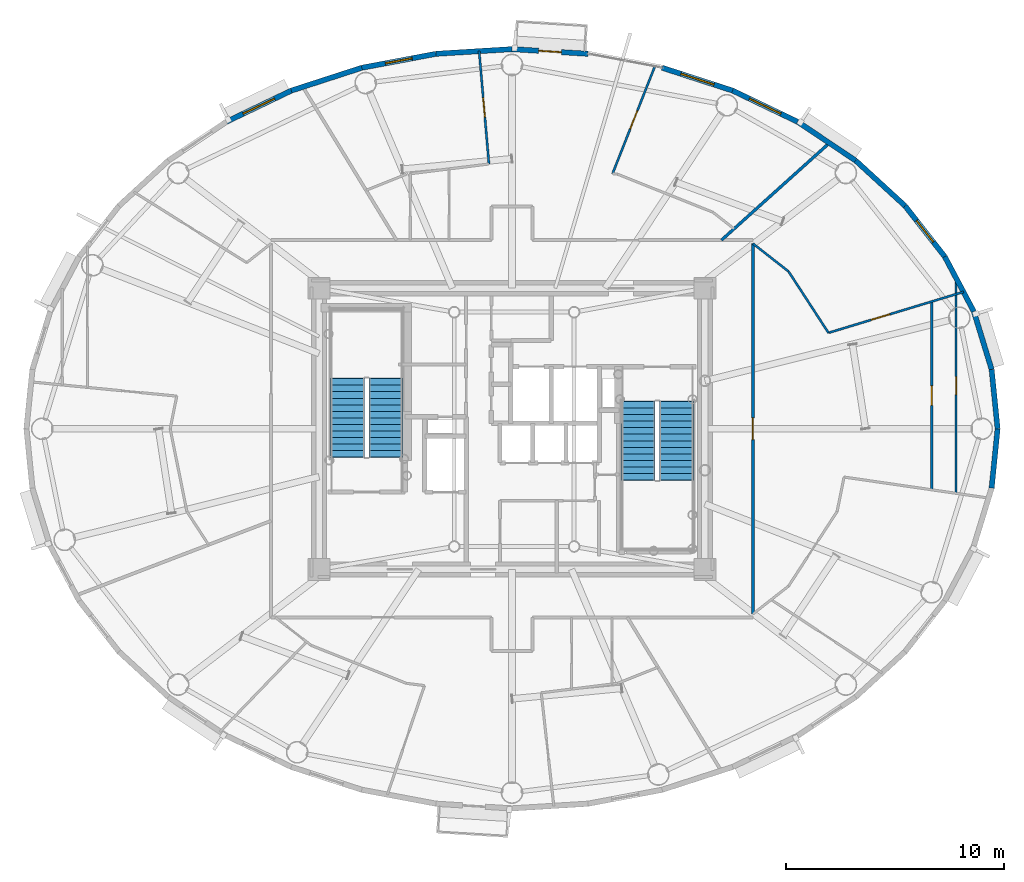
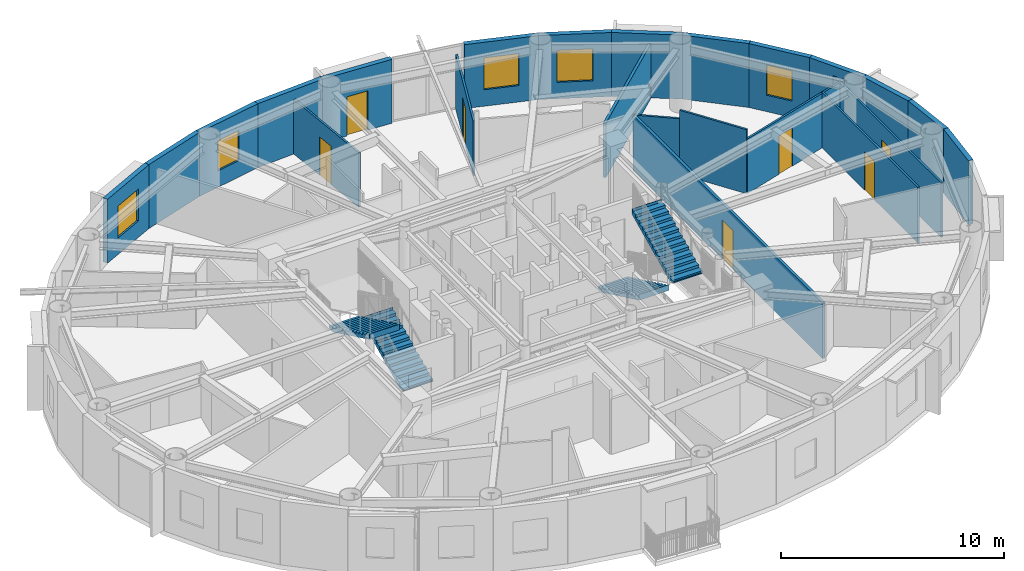
# One storey, part 11 of 20: 23 walls, 7 doors, 5 windows, 4 stair flights, 12 openings, 2 elements without a shape of their own.
"""IFC4 building model written with IfcOpenShell, lengths in metres."""

from ifc_helpers import new_model, si_unit, direction, frame, frame_2d, origin, origin_2d, place, context, subcontext, project, spatial, polyline, rectangle, outline, extrude, source, transform, mapped, material, layer, layer_set, type_object, element, fill, aggregate, save


model = new_model("IFC4")

# Units and contexts
model_context = context("Model", 3, precision=1e-05, world=origin(), true_north=direction((0.0, 1.0)))
body_context = subcontext(model_context, "Body", "Model", "MODEL_VIEW")
ifc_project = project(units=[si_unit("LENGTHUNIT", "METRE"), si_unit("AREAUNIT", "SQUARE_METRE"), si_unit("VOLUMEUNIT", "CUBIC_METRE"), si_unit("PLANEANGLEUNIT", "RADIAN"), si_unit("MASSUNIT", "GRAM", prefix="KILO")], contexts=[model_context])

# Site, building, storey
site_placement = place(None, origin())
site = spatial("IfcSite", under=ifc_project, at=site_placement, CompositionType="ELEMENT")
building_placement = place(site_placement, origin())
building = spatial("IfcBuilding", under=site, at=building_placement, Name="Linh Dai School and Residence Tower", CompositionType="ELEMENT")
storey_placement = place(building_placement, frame((0.0, 0.0, 288.0)))
storey = spatial("IfcBuildingStorey", under=building, at=storey_placement, Name="L71", CompositionType="ELEMENT", Elevation=288.0)

# Walls
ifc_material_1 = material(Name="Precast Concrete B45 (C35/45)", Category="concrete")
ifc_layer_1 = layer(ifc_material_1, 0.239990234375)
ifc_layer_set_1 = layer_set([ifc_layer_1], Name="Precast Concrete B45 (C35/45)")
wall_type_1 = type_object("IfcWallType", Name="EW-TC-240", PredefinedType="SOLIDWALL", material=ifc_layer_set_1)
wall_1_placement = place(storey_placement, frame((58.001708984375, 29.718994140625, 0.0), z_axis=(0.0, 0.0, 1.0), x_axis=(0.099972526841, -0.99499019788, 0.0)))
element("IfcWall", 1, at=wall_1_placement, inside=storey, type_object=wall_type_1, Name="L71 Terracotta Exterior Wall 01", PredefinedType="SOLIDWALL", context=body_context, shape_type="SweptSolid", body=[
    extrude(rectangle(XDim=2.732666015625, YDim=0.239990234375, at=frame_2d((1.3662109375, 0.0))), origin(), (0.0, 0.0, 1.0), 3.5),
])
wall_2_placement = place(storey_placement, frame((57.188232421875, 32.372314453125, 0.0), z_axis=(0.0, 0.0, 1.0), x_axis=(0.2931213403, -0.956075248012, 0.0)))
element("IfcWall", 2, at=wall_2_placement, inside=storey, type_object=wall_type_1, Name="L71 Terracotta Exterior Wall 02", PredefinedType="SOLIDWALL", context=body_context, shape_type="SweptSolid", body=[
    extrude(rectangle(XDim=2.775146484375, YDim=0.239990234375, at=frame_2d((1.3876953125, 0.0))), origin(), (0.0, 0.0, 1.0), 3.5),
])
wall_3_placement = place(storey_placement, frame((55.853759765625, 34.894775390625, 0.0), z_axis=(0.0, 0.0, 1.0), x_axis=(0.467628269026, -0.883925224218, 0.0)))
element("IfcWall", 3, at=wall_3_placement, inside=storey, type_object=wall_type_1, Name="L71 Terracotta Exterior Wall 03", PredefinedType="SOLIDWALL", context=body_context, shape_type="SweptSolid", body=[
    extrude(rectangle(XDim=2.853759765625, YDim=0.239990234375, at=frame_2d((1.4267578125, 0.0))), origin(), (0.0, 0.0, 1.0), 3.5),
])

# Wall, opening, window
wall_4_placement = place(storey_placement, frame((54.0302734375, 37.224609375, 0.0), z_axis=(0.0, 0.0, 1.0), x_axis=(0.616337186556, -0.787482363275, 0.0)))
wall_4 = element("IfcWall", 4, at=wall_4_placement, inside=storey, type_object=wall_type_1, Name="L71 Terracotta Exterior Wall 04", PredefinedType="SOLIDWALL", context=body_context, shape_type="SweptSolid", body=[
    extrude(rectangle(XDim=2.95849609375, YDim=0.239990234375, at=frame_2d((1.479248046875, 0.0))), origin(), (0.0, 0.0, 1.0), 3.5),
])
opening_1_placement = place(wall_4_placement, frame((0.85400390625, 0.0, 0.89990234375)))
opening_1 = element("IfcOpeningElement", 5, at=opening_1_placement, cuts=wall_4, Name="Opening W3", PredefinedType="OPENING", context=body_context, shape_type="SweptSolid", body=[
    extrude(rectangle(XDim=1.25, YDim=1.64990234375, at=origin_2d()), frame((0.625, 0.1298828125, 0.824951171875), z_axis=(0.0, -1.0, 0.0), x_axis=(1.0, 0.0, 0.0)), (0.0, 0.0, 1.0), 0.260009765625),
])
ifc_material_2 = material(Name="Double Low-E Insulated Glazing", Category="glass")
window_type_1 = type_object("IfcWindowType", Name="WN-RES-1250x1650", PartitioningType="SINGLE_PANEL", PredefinedType="WINDOW", material=ifc_material_2)
shared_shape_1 = source(origin(), body_context, "Body", "SweptSolid", [
    extrude(rectangle(XDim=1.25, YDim=1.64990234375, at=origin_2d()), frame((0.625, 0.030029296875, 0.824951171875), z_axis=(0.0, -1.0, 0.0), x_axis=(1.0, 0.0, 0.0)), (0.0, 0.0, 1.0), 0.06005859375),
])
window_1_placement = place(opening_1_placement, origin())
window_1 = element("IfcWindow", 6, at=window_1_placement, inside=storey, type_object=window_type_1, Name="L71 Exterior Window 04.1", OverallHeight=1.64990234375, OverallWidth=1.25, PartitioningType="SINGLE_PANEL", PredefinedType="WINDOW", context=body_context, shape_type="MappedRepresentation", body=[
    mapped(shared_shape_1, transform((0.0, 0.0, 0.0), x_axis=(1.0, 0.0, 0.0), y_axis=(0.0, 1.0, 0.0), z_axis=(0.0, 0.0, 1.0), scale=1.0)),
])
fill(opening_1, window_1)

# Walls
wall_5_placement = place(storey_placement, frame((51.76220703125, 39.30419921875, 0.0), z_axis=(0.0, 0.0, 1.0), x_axis=(0.737068506972, -0.675818034703, 0.0)))
element("IfcWall", 7, at=wall_5_placement, inside=storey, type_object=wall_type_1, Name="L71 Terracotta Exterior Wall 05", PredefinedType="SOLIDWALL", context=body_context, shape_type="SweptSolid", body=[
    extrude(rectangle(XDim=3.0771484375, YDim=0.239990234375, at=frame_2d((1.53857421875, 0.0))), origin(), (0.0, 0.0, 1.0), 3.5),
])
wall_6_placement = place(storey_placement, frame((49.1044921875, 41.08154296875, 0.0), z_axis=(0.0, 0.0, 1.0), x_axis=(0.831250592635, -0.55589787933, 0.0)))
element("IfcWall", 8, at=wall_6_placement, inside=storey, type_object=wall_type_1, Name="L71 Terracotta Exterior Wall 06", PredefinedType="SOLIDWALL", context=body_context, shape_type="SweptSolid", body=[
    extrude(rectangle(XDim=3.197265625, YDim=0.239990234375, at=frame_2d((1.5986328125, 0.0))), origin(), (0.0, 0.0, 1.0), 3.5),
])

# Wall, opening, window
wall_7_placement = place(storey_placement, frame((46.123046875, 42.51220703125, 0.0), z_axis=(0.0, 0.0, 1.0), x_axis=(0.901573741254, -0.43262546051, 0.0)))
wall_7 = element("IfcWall", 9, at=wall_7_placement, inside=storey, type_object=wall_type_1, Name="L71 Terracotta Exterior Wall 07", PredefinedType="SOLIDWALL", context=body_context, shape_type="SweptSolid", body=[
    extrude(rectangle(XDim=3.306884765625, YDim=0.239990234375, at=frame_2d((1.6533203125, 0.0))), origin(), (0.0, 0.0, 1.0), 3.5),
])
opening_2_placement = place(wall_7_placement, frame((0.853271484375, 0.0, 0.89990234375)))
opening_2 = element("IfcOpeningElement", 10, at=opening_2_placement, cuts=wall_7, Name="Opening W2", PredefinedType="OPENING", context=body_context, shape_type="SweptSolid", body=[
    extrude(rectangle(XDim=1.60009765625, YDim=1.75, at=origin_2d()), frame((0.800048828125, 0.1298828125, 0.875), z_axis=(0.0, -1.0, 0.0), x_axis=(1.0, 0.0, 0.0)), (0.0, 0.0, 1.0), 0.260009765625),
])
window_type_2 = type_object("IfcWindowType", Name="WN-RES-1600x1750", PartitioningType="DOUBLE_PANEL_VERTICAL", PredefinedType="WINDOW", material=ifc_material_2)
shared_shape_2 = source(origin(), body_context, "Body", "SweptSolid", [
    extrude(rectangle(XDim=1.60009765625, YDim=1.75, at=origin_2d()), frame((0.800048828125, 0.030029296875, 0.875), z_axis=(0.0, -1.0, 0.0), x_axis=(1.0, 0.0, 0.0)), (0.0, 0.0, 1.0), 0.06005859375),
])
window_2_placement = place(opening_2_placement, origin())
window_2 = element("IfcWindow", 11, at=window_2_placement, inside=storey, type_object=window_type_2, Name="L71 Exterior Window 07.1", OverallHeight=1.75, OverallWidth=1.60009765625, PartitioningType="DOUBLE_PANEL_VERTICAL", PredefinedType="WINDOW", context=body_context, shape_type="MappedRepresentation", body=[
    mapped(shared_shape_2, transform((0.0, 0.0, 0.0), x_axis=(1.0, 0.0, 0.0), y_axis=(0.0, 1.0, 0.0), z_axis=(0.0, 0.0, 1.0), scale=1.0)),
])
fill(opening_2, window_2)

wall_8_placement = place(storey_placement, frame((42.89111328125, 43.560302734375, 0.0), z_axis=(0.0, 0.0, 1.0), x_axis=(0.95123136723, -0.308478339592, 0.0)))
wall_8 = element("IfcWall", 12, at=wall_8_placement, inside=storey, type_object=wall_type_1, Name="L71 Terracotta Exterior Wall 08", PredefinedType="SOLIDWALL", context=body_context, shape_type="SweptSolid", body=[
    extrude(rectangle(XDim=3.397705078125, YDim=0.239990234375, at=frame_2d((1.69873046875, 0.0))), origin(), (0.0, 0.0, 1.0), 3.5),
])
opening_3_placement = place(wall_8_placement, frame((0.898681640625, 0.0, 0.89990234375)))
opening_3 = element("IfcOpeningElement", 13, at=opening_3_placement, cuts=wall_8, Name="Opening W2", PredefinedType="OPENING", context=body_context, shape_type="SweptSolid", body=[
    extrude(rectangle(XDim=1.60009765625, YDim=1.75, at=origin_2d()), frame((0.800048828125, 0.1298828125, 0.875), z_axis=(0.0, -1.0, 0.0), x_axis=(1.0, 0.0, 0.0)), (0.0, 0.0, 1.0), 0.260009765625),
])
window_3_placement = place(opening_3_placement, origin())
window_3 = element("IfcWindow", 14, at=window_3_placement, inside=storey, type_object=window_type_2, Name="L71 Exterior Window 08.1", OverallHeight=1.75, OverallWidth=1.60009765625, PartitioningType="DOUBLE_PANEL_VERTICAL", PredefinedType="WINDOW", context=body_context, shape_type="MappedRepresentation", body=[
    mapped(shared_shape_2, transform((0.0, 0.0, 0.0), x_axis=(1.0, 0.0, 0.0), y_axis=(0.0, 1.0, 0.0), z_axis=(0.0, 0.0, 1.0), scale=1.0)),
])
fill(opening_3, window_3)

# Wall, opening, door
wall_9_placement = place(storey_placement, frame((36.0, 44.4150390625, 0.0), z_axis=(0.0, 0.0, 1.0), x_axis=(0.998104946479, -0.061534671648, 0.0)))
wall_9 = element("IfcWall", 15, at=wall_9_placement, inside=storey, type_object=wall_type_1, Name="L71 Terracotta Exterior Wall 10", PredefinedType="SOLIDWALL", context=body_context, shape_type="SweptSolid", body=[
    extrude(rectangle(XDim=3.495361328125, YDim=0.239990234375, at=frame_2d((1.74755859375, 0.0))), origin(), (0.0, 0.0, 1.0), 3.5),
])
opening_4_placement = place(wall_9_placement, frame((1.22265625, 0.0, 0.0)))
opening_4 = element("IfcOpeningElement", 16, at=opening_4_placement, cuts=wall_9, Name="Opening BD1", PredefinedType="OPENING", context=body_context, shape_type="SweptSolid", body=[
    extrude(rectangle(XDim=1.050048828125, YDim=2.14990234375, at=origin_2d()), frame((0.52490234375, 0.1298828125, 1.074951171875), z_axis=(0.0, -1.0, 0.0), x_axis=(1.0, 0.0, 0.0)), (0.0, 0.0, 1.0), 0.260009765625),
])
ifc_material_3 = material(Name="Double-Glazed Balcony Door", Category="glass")
door_type_1 = type_object("IfcDoorType", Name="DR-BALC-1050x2150", OperationType="NOTDEFINED", PredefinedType="DOOR", material=ifc_material_3)
shared_shape_3 = source(origin(), body_context, "Body", "SweptSolid", [
    extrude(rectangle(XDim=1.050048828125, YDim=2.14990234375, at=origin_2d()), frame((0.52490234375, 0.02490234375, 1.074951171875), z_axis=(0.0, -1.0, 0.0), x_axis=(1.0, 0.0, 0.0)), (0.0, 0.0, 1.0), 0.050048828125),
])
door_1_placement = place(opening_4_placement, origin())
door_1 = element("IfcDoor", 17, at=door_1_placement, inside=storey, type_object=door_type_1, Name="L71 Glazed Balcony Door 10", OperationType="SINGLE_SWING_LEFT", OverallHeight=2.14990234375, OverallWidth=1.050048828125, PredefinedType="DOOR", context=body_context, shape_type="MappedRepresentation", body=[
    mapped(shared_shape_3, transform((0.0, 0.0, 0.0), x_axis=(1.0, 0.0, 0.0), y_axis=(0.0, 1.0, 0.0), z_axis=(0.0, 0.0, 1.0), scale=1.0)),
])
fill(opening_4, door_1)

# Wall
wall_10_placement = place(storey_placement, frame((32.51123046875, 44.199951171875, 0.0), z_axis=(0.0, 0.0, 1.0), x_axis=(0.998104946479, 0.061534671648, 0.0)))
element("IfcWall", 18, at=wall_10_placement, inside=storey, type_object=wall_type_1, Name="L71 Terracotta Exterior Wall 11", PredefinedType="SOLIDWALL", context=body_context, shape_type="SweptSolid", body=[
    extrude(rectangle(XDim=3.495361328125, YDim=0.239990234375, at=frame_2d((1.74755859375, 0.0))), origin(), (0.0, 0.0, 1.0), 3.5),
])

# Wall, opening, window
wall_11_placement = place(storey_placement, frame((29.10888671875, 43.560302734375, 0.0), z_axis=(0.0, 0.0, 1.0), x_axis=(0.982782655757, 0.184765395959, 0.0)))
wall_11 = element("IfcWall", 19, at=wall_11_placement, inside=storey, type_object=wall_type_1, Name="L71 Terracotta Exterior Wall 12", PredefinedType="SOLIDWALL", context=body_context, shape_type="SweptSolid", body=[
    extrude(rectangle(XDim=3.4619140625, YDim=0.239990234375, at=frame_2d((1.73095703125, 0.0))), origin(), (0.0, 0.0, 1.0), 3.5),
])
opening_5_placement = place(wall_11_placement, frame((1.10595703125, 0.0, 0.89990234375)))
opening_5 = element("IfcOpeningElement", 20, at=opening_5_placement, cuts=wall_11, Name="Opening W3", PredefinedType="OPENING", context=body_context, shape_type="SweptSolid", body=[
    extrude(rectangle(XDim=1.25, YDim=1.64990234375, at=origin_2d()), frame((0.625, 0.1298828125, 0.824951171875), z_axis=(0.0, -1.0, 0.0), x_axis=(1.0, 0.0, 0.0)), (0.0, 0.0, 1.0), 0.260009765625),
])
window_4_placement = place(opening_5_placement, origin())
window_4 = element("IfcWindow", 21, at=window_4_placement, inside=storey, type_object=window_type_1, Name="L71 Dwelling Window U7101-BD2", OverallHeight=1.64990234375, OverallWidth=1.25, PartitioningType="SINGLE_PANEL", PredefinedType="WINDOW", context=body_context, shape_type="MappedRepresentation", body=[
    mapped(shared_shape_1, transform((0.0, 0.0, 0.0), x_axis=(1.0, 0.0, 0.0), y_axis=(0.0, 1.0, 0.0), z_axis=(0.0, 0.0, 1.0), scale=1.0)),
])
fill(opening_5, window_4)

# Wall
wall_12_placement = place(storey_placement, frame((25.876953125, 42.51220703125, 0.0), z_axis=(0.0, 0.0, 1.0), x_axis=(0.95123136723, 0.308478339592, 0.0)))
element("IfcWall", 22, at=wall_12_placement, inside=storey, type_object=wall_type_1, Name="L71 Terracotta Exterior Wall 13", PredefinedType="SOLIDWALL", context=body_context, shape_type="SweptSolid", body=[
    extrude(rectangle(XDim=3.397705078125, YDim=0.239990234375, at=frame_2d((1.69873046875, 0.0))), origin(), (0.0, 0.0, 1.0), 3.5),
])

# Wall, opening, window
wall_13_placement = place(storey_placement, frame((22.8955078125, 41.08154296875, 0.0), z_axis=(0.0, 0.0, 1.0), x_axis=(0.901573741254, 0.43262546051, 0.0)))
wall_13 = element("IfcWall", 23, at=wall_13_placement, inside=storey, type_object=wall_type_1, Name="L71 Terracotta Exterior Wall 14", PredefinedType="SOLIDWALL", context=body_context, shape_type="SweptSolid", body=[
    extrude(rectangle(XDim=3.306884765625, YDim=0.239990234375, at=frame_2d((1.6533203125, 0.0))), origin(), (0.0, 0.0, 1.0), 3.5),
])
opening_6_placement = place(wall_13_placement, frame((0.853515625, 0.0, 0.89990234375)))
opening_6 = element("IfcOpeningElement", 24, at=opening_6_placement, cuts=wall_13, Name="Opening W2", PredefinedType="OPENING", context=body_context, shape_type="SweptSolid", body=[
    extrude(rectangle(XDim=1.60009765625, YDim=1.75, at=origin_2d()), frame((0.800048828125, 0.1298828125, 0.875), z_axis=(0.0, -1.0, 0.0), x_axis=(1.0, 0.0, 0.0)), (0.0, 0.0, 1.0), 0.260009765625),
])
window_5_placement = place(opening_6_placement, origin())
window_5 = element("IfcWindow", 25, at=window_5_placement, inside=storey, type_object=window_type_2, Name="L71 Exterior Window 14.1", OverallHeight=1.75, OverallWidth=1.60009765625, PartitioningType="DOUBLE_PANEL_VERTICAL", PredefinedType="WINDOW", context=body_context, shape_type="MappedRepresentation", body=[
    mapped(shared_shape_2, transform((0.0, 0.0, 0.0), x_axis=(1.0, 0.0, 0.0), y_axis=(0.0, 1.0, 0.0), z_axis=(0.0, 0.0, 1.0), scale=1.0)),
])
fill(opening_6, window_5)

# Walls
wall_14_placement = place(storey_placement, frame((58.27490234375, 27.0, 0.0), z_axis=(0.0, 0.0, 1.0), x_axis=(-0.099972526841, -0.99499019788, 0.0)))
element("IfcWall", 26, at=wall_14_placement, inside=storey, type_object=wall_type_1, Name="L71 Terracotta Exterior Wall 40", PredefinedType="SOLIDWALL", context=body_context, shape_type="SweptSolid", body=[
    extrude(rectangle(XDim=2.732666015625, YDim=0.239990234375, at=frame_2d((1.3662109375, 0.0))), origin(), (0.0, 0.0, 1.0), 3.5),
])
ifc_material_4 = material(Name="Autoclaved Aerated Concrete Blockwork", Category="masonry")
ifc_layer_2 = layer(ifc_material_4, 0.135009765625)
ifc_layer_set_2 = layer_set([ifc_layer_2], Name="Autoclaved Aerated Concrete Blockwork")
wall_type_2 = type_object("IfcWallType", Name="IW-CORR-135-EI90", PredefinedType="PARTITIONING", material=ifc_layer_set_2)
wall_15_placement = place(storey_placement, frame((45.606689453125, 35.64990234375, 0.0), z_axis=(0.0, 0.0, 1.0), x_axis=(0.743148504456, 0.669126520416, 0.0)))
element("IfcWall", 27, at=wall_15_placement, inside=storey, type_object=wall_type_2, Name="L71 Interior Partition Wall 075", PredefinedType="PARTITIONING", context=body_context, shape_type="SweptSolid", body=[
    extrude(rectangle(XDim=6.6689453125, YDim=0.135009765625, at=frame_2d((3.33447265625, 0.0))), origin(), (0.0, 0.0, 1.0), 2.985107421875),
])

# Wall, opening, door
wall_16_placement = place(storey_placement, frame((47.050048828125, 18.502685546875, 0.0), z_axis=(0.0, 0.0, 1.0), x_axis=(0.0, 1.0, 0.0)))
wall_16 = element("IfcWall", 28, at=wall_16_placement, inside=storey, type_object=wall_type_2, Name="L71 Interior Partition Wall 076", PredefinedType="PARTITIONING", context=body_context, shape_type="SweptSolid", body=[
    extrude(rectangle(XDim=16.99462890625, YDim=0.135009765625, at=frame_2d((8.497314453125, 0.0))), origin(), (0.0, 0.0, 1.0), 3.034912109375),
])
opening_7_placement = place(wall_16_placement, frame((7.997314453125, 0.0, 0.0)))
opening_7 = element("IfcOpeningElement", 29, at=opening_7_placement, cuts=wall_16, Name="Opening D03", PredefinedType="OPENING", context=body_context, shape_type="SweptSolid", body=[
    extrude(rectangle(XDim=1.0, YDim=2.14990234375, at=origin_2d()), frame((0.5, 0.07763671875, 1.074951171875), z_axis=(0.0, -1.0, 0.0), x_axis=(1.0, 0.0, 0.0)), (0.0, 0.0, 1.0), 0.155029296875),
])
ifc_material_5 = material(Name="Fire-Rated Solid Timber Entrance Door", Category="wood")
door_type_2 = type_object("IfcDoorType", Name="DR-FLAT-1000x2150-FD60S", OperationType="NOTDEFINED", PredefinedType="DOOR", material=ifc_material_5)
shared_shape_4 = source(origin(), body_context, "Body", "SweptSolid", [
    extrude(rectangle(XDim=1.0, YDim=2.14990234375, at=origin_2d()), frame((0.5, 0.02490234375, 1.074951171875), z_axis=(0.0, -1.0, 0.0), x_axis=(1.0, 0.0, 0.0)), (0.0, 0.0, 1.0), 0.050048828125),
])
door_2_placement = place(opening_7_placement, origin())
door_2 = element("IfcDoor", 30, at=door_2_placement, inside=storey, type_object=door_type_2, Name="L71 U7104 Apartment Entrance Door", OperationType="SINGLE_SWING_LEFT", OverallHeight=2.14990234375, OverallWidth=1.0, PredefinedType="DOOR", context=body_context, shape_type="MappedRepresentation", body=[
    mapped(shared_shape_4, transform((0.0, 0.0, 0.0), x_axis=(1.0, 0.0, 0.0), y_axis=(0.0, 1.0, 0.0), z_axis=(0.0, 0.0, 1.0), scale=1.0)),
])
fill(opening_7, door_2)

ifc_material_6 = material(Name="Gypsum Plasterboard Acoustic Stud Partition", Category="masonry")
ifc_layer_3 = layer(ifc_material_6, 0.10009765625)
ifc_layer_set_3 = layer_set([ifc_layer_3], Name="Gypsum Plasterboard Acoustic Stud Partition")
wall_type_3 = type_object("IfcWallType", Name="IW-UNIT-100", PredefinedType="PARTITIONING", material=ifc_layer_set_3)
wall_17_placement = place(storey_placement, frame((34.492431640625, 44.3271484375, 0.0), z_axis=(0.0, 0.0, 1.0), x_axis=(0.086674190257, -0.9962367112, 0.0)))
wall_17 = element("IfcWall", 31, at=wall_17_placement, inside=storey, type_object=wall_type_3, Name="L71 Interior Partition Wall 032", PredefinedType="PARTITIONING", context=body_context, shape_type="SweptSolid", body=[
    extrude(rectangle(XDim=5.19970703125, YDim=0.10009765625, at=frame_2d((2.599853515625, 0.0))), origin(), (0.0, 0.0, 1.0), 2.985107421875),
])
opening_8_placement = place(wall_17_placement, frame((2.14990234375, 0.0, 0.0)))
opening_8 = element("IfcOpeningElement", 32, at=opening_8_placement, cuts=wall_17, Name="Opening D05", PredefinedType="OPENING", context=body_context, shape_type="SweptSolid", body=[
    extrude(rectangle(XDim=0.89990234375, YDim=2.10009765625, at=origin_2d()), frame((0.449951171875, 0.06005859375, 1.050048828125), z_axis=(0.0, -1.0, 0.0), x_axis=(1.0, 0.0, 0.0)), (0.0, 0.0, 1.0), 0.1201171875),
])
ifc_material_7 = material(Name="Engineered Timber Internal Door", Category="wood")
door_type_3 = type_object("IfcDoorType", Name="DR-INT-900x2100", OperationType="NOTDEFINED", PredefinedType="DOOR", material=ifc_material_7)
shared_shape_5 = source(origin(), body_context, "Body", "SweptSolid", [
    extrude(rectangle(XDim=0.89990234375, YDim=2.10009765625, at=origin_2d()), frame((0.449951171875, 0.02490234375, 1.050048828125), z_axis=(0.0, -1.0, 0.0), x_axis=(1.0, 0.0, 0.0)), (0.0, 0.0, 1.0), 0.050048828125),
])
door_3_placement = place(opening_8_placement, origin())
door_3 = element("IfcDoor", 33, at=door_3_placement, inside=storey, type_object=door_type_3, Name="L71 Apartment U7101 Bedroom 2 Door", OperationType="SINGLE_SWING_LEFT", OverallHeight=2.10009765625, OverallWidth=0.89990234375, PredefinedType="DOOR", context=body_context, shape_type="MappedRepresentation", body=[
    mapped(shared_shape_5, transform((0.0, 0.0, 0.0), x_axis=(1.0, 0.0, 0.0), y_axis=(0.0, 1.0, 0.0), z_axis=(0.0, 0.0, 1.0), scale=1.0)),
])
fill(opening_8, door_3)

wall_18_placement = place(storey_placement, frame((40.6142578125, 38.705810546875, 0.0), z_axis=(0.0, 0.0, 1.0), x_axis=(0.36670847824, 0.930335902772, 0.0)))
wall_18 = element("IfcWall", 34, at=wall_18_placement, inside=storey, type_object=wall_type_3, Name="L71 Interior Partition Wall 068", PredefinedType="PARTITIONING", context=body_context, shape_type="SweptSolid", body=[
    extrude(rectangle(XDim=5.29150390625, YDim=0.10009765625, at=frame_2d((2.645751953125, 0.0))), origin(), (0.0, 0.0, 1.0), 2.985107421875),
])
opening_9_placement = place(wall_18_placement, frame((2.19580078125, 0.0, 0.0)))
opening_9 = element("IfcOpeningElement", 35, at=opening_9_placement, cuts=wall_18, Name="Opening D05", PredefinedType="OPENING", context=body_context, shape_type="SweptSolid", body=[
    extrude(rectangle(XDim=0.89990234375, YDim=2.10009765625, at=origin_2d()), frame((0.449951171875, 0.06005859375, 1.050048828125), z_axis=(0.0, -1.0, 0.0), x_axis=(1.0, 0.0, 0.0)), (0.0, 0.0, 1.0), 0.1201171875),
])
door_4_placement = place(opening_9_placement, origin())
door_4 = element("IfcDoor", 36, at=door_4_placement, inside=storey, type_object=door_type_3, Name="L71 Apartment U7101 Principal Bedroom 1 Door", OperationType="SINGLE_SWING_RIGHT", OverallHeight=2.10009765625, OverallWidth=0.89990234375, PredefinedType="DOOR", context=body_context, shape_type="MappedRepresentation", body=[
    mapped(shared_shape_5, transform((0.0, 0.0, 0.0), x_axis=(1.0, 0.0, 0.0), y_axis=(0.0, 1.0, 0.0), z_axis=(0.0, 0.0, 1.0), scale=1.0)),
])
fill(opening_9, door_4)

# Walls
wall_19_placement = place(storey_placement, frame((47.050048828125, 35.497314453125, 0.0), z_axis=(0.0, 0.0, 1.0), x_axis=(0.787328855274, -0.616533270516, 0.0)))
element("IfcWall", 37, at=wall_19_placement, inside=storey, type_object=wall_type_3, Name="L71 Interior Partition Wall 078", PredefinedType="PARTITIONING", context=body_context, shape_type="SweptSolid", body=[
    extrude(rectangle(XDim=2.076904296875, YDim=0.10009765625, at=frame_2d((1.03857421875, 0.0))), origin(), (0.0, 0.0, 1.0), 3.034912109375),
])
wall_20_placement = place(storey_placement, frame((48.685302734375, 34.216796875, 0.0), z_axis=(0.0, 0.0, 1.0), x_axis=(0.545425092352, -0.838159572297, 0.0)))
element("IfcWall", 38, at=wall_20_placement, inside=storey, type_object=wall_type_3, Name="L71 Interior Partition Wall 081", PredefinedType="PARTITIONING", context=body_context, shape_type="SweptSolid", body=[
    extrude(rectangle(XDim=3.359375, YDim=0.10009765625, at=frame_2d((1.6796875, 0.0))), origin(), (0.0, 0.0, 1.0), 3.5),
])

# Wall, opening, door
wall_21_placement = place(storey_placement, frame((50.517578125, 31.401123046875, 0.0), z_axis=(0.0, 0.0, 1.0), x_axis=(0.956995224849, 0.290103670462, 0.0)))
wall_21 = element("IfcWall", 39, at=wall_21_placement, inside=storey, type_object=wall_type_3, Name="L71 Interior Partition Wall 082", PredefinedType="PARTITIONING", context=body_context, shape_type="SweptSolid", body=[
    extrude(rectangle(XDim=6.47509765625, YDim=0.10009765625, at=frame_2d((3.237548828125, 0.0))), origin(), (0.0, 0.0, 1.0), 2.985107421875),
])
opening_10_placement = place(wall_21_placement, frame((2.045166015625, 0.0, 0.0)))
opening_10 = element("IfcOpeningElement", 40, at=opening_10_placement, cuts=wall_21, Name="Opening D05", PredefinedType="OPENING", context=body_context, shape_type="SweptSolid", body=[
    extrude(rectangle(XDim=0.89990234375, YDim=2.10009765625, at=origin_2d()), frame((0.449951171875, 0.06005859375, 1.050048828125), z_axis=(0.0, -1.0, 0.0), x_axis=(1.0, 0.0, 0.0)), (0.0, 0.0, 1.0), 0.1201171875),
])
door_5_placement = place(opening_10_placement, origin())
door_5 = element("IfcDoor", 41, at=door_5_placement, inside=storey, type_object=door_type_3, Name="L71 Apartment U7104 Principal Bedroom 3 Door", OperationType="SINGLE_SWING_LEFT", OverallHeight=2.10009765625, OverallWidth=0.89990234375, PredefinedType="DOOR", context=body_context, shape_type="MappedRepresentation", body=[
    mapped(shared_shape_5, transform((0.0, 0.0, 0.0), x_axis=(1.0, 0.0, 0.0), y_axis=(0.0, 1.0, 0.0), z_axis=(0.0, 0.0, 1.0), scale=1.0)),
])
fill(opening_10, door_5)

wall_22_placement = place(storey_placement, frame((55.255126953125, 24.201171875, 0.0), z_axis=(0.0, 0.0, 1.0), x_axis=(0.0, 1.0, 0.0)))
wall_22 = element("IfcWall", 42, at=wall_22_placement, inside=storey, type_object=wall_type_3, Name="L71 Interior Partition Wall 085", PredefinedType="PARTITIONING", context=body_context, shape_type="SweptSolid", body=[
    extrude(rectangle(XDim=8.635986328125, YDim=0.10009765625, at=frame_2d((4.31787109375, 0.0))), origin(), (0.0, 0.0, 1.0), 3.034912109375),
])
opening_11_placement = place(wall_22_placement, frame((3.867919921875, 0.0, 0.0)))
opening_11 = element("IfcOpeningElement", 43, at=opening_11_placement, cuts=wall_22, Name="Opening D05", PredefinedType="OPENING", context=body_context, shape_type="SweptSolid", body=[
    extrude(rectangle(XDim=0.89990234375, YDim=2.10009765625, at=origin_2d()), frame((0.449951171875, 0.06005859375, 1.050048828125), z_axis=(0.0, -1.0, 0.0), x_axis=(1.0, 0.0, 0.0)), (0.0, 0.0, 1.0), 0.1201171875),
])
door_6_placement = place(opening_11_placement, origin())
door_6 = element("IfcDoor", 44, at=door_6_placement, inside=storey, type_object=door_type_3, Name="L71 Apartment U7104 Kitchen Door", OperationType="SINGLE_SWING_RIGHT", OverallHeight=2.10009765625, OverallWidth=0.89990234375, PredefinedType="DOOR", context=body_context, shape_type="MappedRepresentation", body=[
    mapped(shared_shape_5, transform((0.0, 0.0, 0.0), x_axis=(1.0, 0.0, 0.0), y_axis=(0.0, 1.0, 0.0), z_axis=(0.0, 0.0, 1.0), scale=1.0)),
])
fill(opening_11, door_6)

wall_23_placement = place(storey_placement, frame((56.3740234375, 24.03857421875, 0.0), z_axis=(0.0, 0.0, 1.0), x_axis=(0.0, 1.0, 0.0)))
wall_23 = element("IfcWall", 45, at=wall_23_placement, inside=storey, type_object=wall_type_3, Name="L71 Interior Partition Wall 086", PredefinedType="PARTITIONING", context=body_context, shape_type="SweptSolid", body=[
    extrude(rectangle(XDim=9.883544921875, YDim=0.10009765625, at=frame_2d((4.94189453125, 0.0))), origin(), (0.0, 0.0, 1.0), 2.985107421875),
])
opening_12_placement = place(wall_23_placement, frame((4.53173828125, 0.0, 0.0)))
opening_12 = element("IfcOpeningElement", 46, at=opening_12_placement, cuts=wall_23, Name="Opening D06", PredefinedType="OPENING", context=body_context, shape_type="SweptSolid", body=[
    extrude(rectangle(XDim=0.820068359375, YDim=2.10009765625, at=origin_2d()), frame((0.41015625, 0.06005859375, 1.050048828125), z_axis=(0.0, -1.0, 0.0), x_axis=(1.0, 0.0, 0.0)), (0.0, 0.0, 1.0), 0.1201171875),
])
ifc_material_8 = material(Name="Moisture-Resistant Timber Bathroom Door", Category="wood")
door_type_4 = type_object("IfcDoorType", Name="DR-WET-820x2100", OperationType="NOTDEFINED", PredefinedType="DOOR", material=ifc_material_8)
shared_shape_6 = source(origin(), body_context, "Body", "SweptSolid", [
    extrude(rectangle(XDim=0.820068359375, YDim=2.10009765625, at=origin_2d()), frame((0.41015625, 0.02490234375, 1.050048828125), z_axis=(0.0, -1.0, 0.0), x_axis=(1.0, 0.0, 0.0)), (0.0, 0.0, 1.0), 0.050048828125),
])
door_7_placement = place(opening_12_placement, origin())
door_7 = element("IfcDoor", 47, at=door_7_placement, inside=storey, type_object=door_type_4, Name="L71 Apartment U7104 Bathroom 1 Door", OperationType="SINGLE_SWING_RIGHT", OverallHeight=2.10009765625, OverallWidth=0.820068359375, PredefinedType="DOOR", context=body_context, shape_type="MappedRepresentation", body=[
    mapped(shared_shape_6, transform((0.0, 0.0, 0.0), x_axis=(1.0, 0.0, 0.0), y_axis=(0.0, 1.0, 0.0), z_axis=(0.0, 0.0, 1.0), scale=1.0)),
])
fill(opening_12, door_7)

# Stair, stair flights
ifc_material_9 = material(Name="Concrete B45 (C35/45)", Category="concrete")
stair_type = type_object("IfcStairType", Name="ST-DOG-1550-R1442", PredefinedType="HALF_TURN_STAIR", material=ifc_material_9)
stair_1_placement = place(storey_placement, origin())
stair_1 = element("IfcStair", 48, at=stair_1_placement, inside=storey, type_object=stair_type, Name="L71 Core Smokeproof Exit Stair ST1", PredefinedType="HALF_TURN_STAIR")
stair_flight_type = type_object("IfcStairFlightType", Name="STF-STR-1550-R1442", PredefinedType="STRAIGHT", material=ifc_material_9)
shared_shape_7 = source(origin(), body_context, "Body", "SweptSolid", [
    extrude(outline(polyline([(-0.02490234375, 0.0), (-0.02490234375, 0.06005859375), (0.0, 0.06005859375), (0.0, 0.144287109375), (0.300048828125, 0.144287109375), (0.300048828125, 0.28857421875), (0.60009765625, 0.28857421875), (0.60009765625, 0.4326171875), (0.89990234375, 0.4326171875), (0.89990234375, 0.576904296875), (1.199951171875, 0.576904296875), (1.199951171875, 0.72119140625), (1.5, 0.72119140625), (1.5, 0.865478515625), (1.800048828125, 0.865478515625), (1.800048828125, 1.009521484375), (2.10009765625, 1.009521484375), (2.10009765625, 1.15380859375), (2.39990234375, 1.15380859375), (2.39990234375, 1.298095703125), (2.699951171875, 1.298095703125), (2.699951171875, 1.4423828125), (3.0, 1.4423828125), (3.0, 1.58642578125), (3.300048828125, 1.58642578125), (3.300048828125, 1.730712890625), (3.60009765625, 1.730712890625), (3.60009765625, 1.875), (3.625, 1.875), (3.625, 1.564453125), (3.60009765625, 1.564453125), (0.345947265625, 0.0), (-0.02490234375, 0.0)])), frame((0.0, 0.77490234375, 0.0), z_axis=(0.0, -1.0, 0.0), x_axis=(1.0, 0.0, 0.0)), (0.0, 0.0, 1.0), 1.550048828125),
])
stair_flight_1_placement = place(storey_placement, frame((30.205078125, 25.699951171875, 0.0), z_axis=(0.0, 0.0, 1.0), x_axis=(0.0, 1.0, 0.0)))
stair_flight_1 = element("IfcStairFlight", 49, at=stair_flight_1_placement, type_object=stair_flight_type, Name="ST1 flight 1", NumberOfRisers=13, NumberOfTreads=12, PredefinedType="STRAIGHT", RiserHeight=0.144230769, TreadLength=0.3, context=body_context, shape_type="MappedRepresentation", body=[
    mapped(shared_shape_7, transform((0.0, 0.0, 0.0), x_axis=(1.0, 0.0, 0.0), y_axis=(0.0, 1.0, 0.0), z_axis=(0.0, 0.0, 1.0), scale=1.0)),
])
stair_flight_2_placement = place(storey_placement, frame((28.455078125, 29.300048828125, 1.875), z_axis=(0.0, 0.0, 1.0), x_axis=(0.0, -1.0, 0.0)))
stair_flight_2 = element("IfcStairFlight", 50, at=stair_flight_2_placement, type_object=stair_flight_type, Name="ST1 flight 2", NumberOfRisers=13, NumberOfTreads=12, PredefinedType="STRAIGHT", RiserHeight=0.144230769, TreadLength=0.3, context=body_context, shape_type="MappedRepresentation", body=[
    mapped(shared_shape_7, transform((0.0, 0.0, 0.0), x_axis=(1.0, 0.0, 0.0), y_axis=(0.0, 1.0, 0.0), z_axis=(0.0, 0.0, 1.0), scale=1.0)),
])
aggregate(stair_1, [stair_flight_1, stair_flight_2])

stair_2_placement = place(storey_placement, origin())
stair_2 = element("IfcStair", 51, at=stair_2_placement, inside=storey, type_object=stair_type, Name="L71 Core Smokeproof Exit Stair ST2", PredefinedType="HALF_TURN_STAIR")
stair_flight_3_placement = place(storey_placement, frame((41.794921875, 28.25, 0.0), z_axis=(0.0, 0.0, 1.0), x_axis=(0.0, -1.0, 0.0)))
stair_flight_3 = element("IfcStairFlight", 52, at=stair_flight_3_placement, type_object=stair_flight_type, Name="ST2 flight 1", NumberOfRisers=13, NumberOfTreads=12, PredefinedType="STRAIGHT", RiserHeight=0.144230769, TreadLength=0.3, context=body_context, shape_type="MappedRepresentation", body=[
    mapped(shared_shape_7, transform((0.0, 0.0, 0.0), x_axis=(1.0, 0.0, 0.0), y_axis=(0.0, 1.0, 0.0), z_axis=(0.0, 0.0, 1.0), scale=1.0)),
])
stair_flight_4_placement = place(storey_placement, frame((43.544921875, 24.64990234375, 1.875), z_axis=(0.0, 0.0, 1.0), x_axis=(0.0, 1.0, 0.0)))
stair_flight_4 = element("IfcStairFlight", 53, at=stair_flight_4_placement, type_object=stair_flight_type, Name="ST2 flight 2", NumberOfRisers=13, NumberOfTreads=12, PredefinedType="STRAIGHT", RiserHeight=0.144230769, TreadLength=0.3, context=body_context, shape_type="MappedRepresentation", body=[
    mapped(shared_shape_7, transform((0.0, 0.0, 0.0), x_axis=(1.0, 0.0, 0.0), y_axis=(0.0, 1.0, 0.0), z_axis=(0.0, 0.0, 1.0), scale=1.0)),
])
aggregate(stair_2, [stair_flight_3, stair_flight_4])

save(model, "model.ifc")
